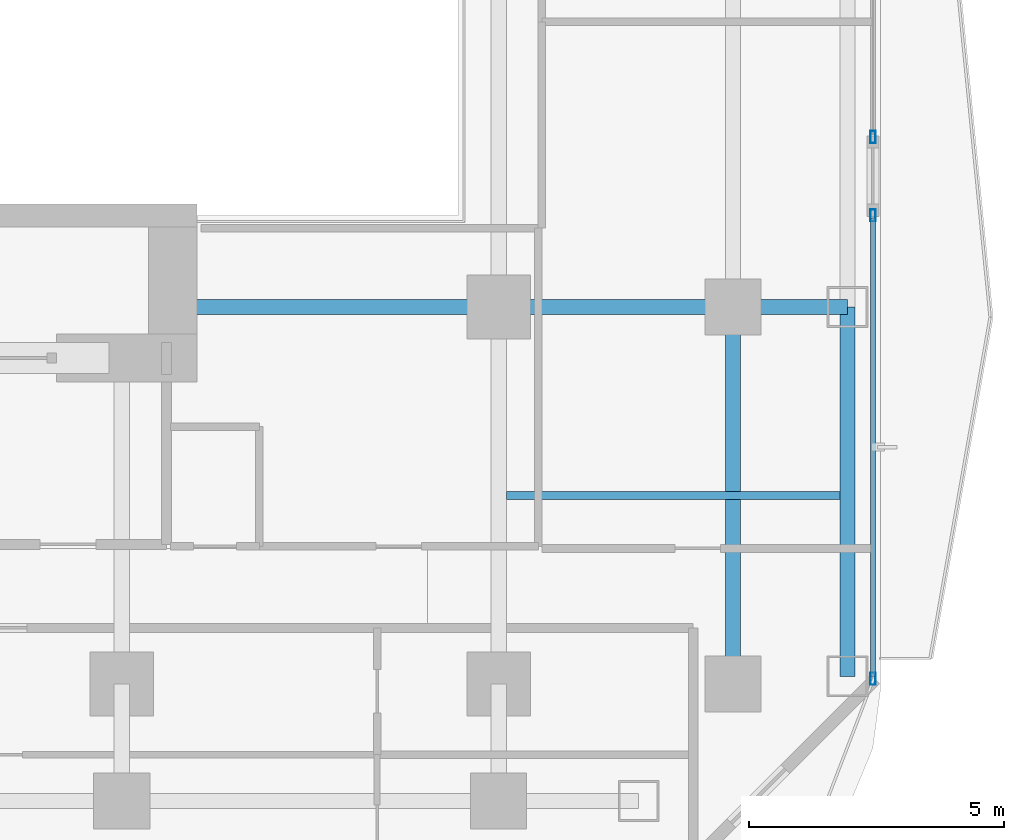
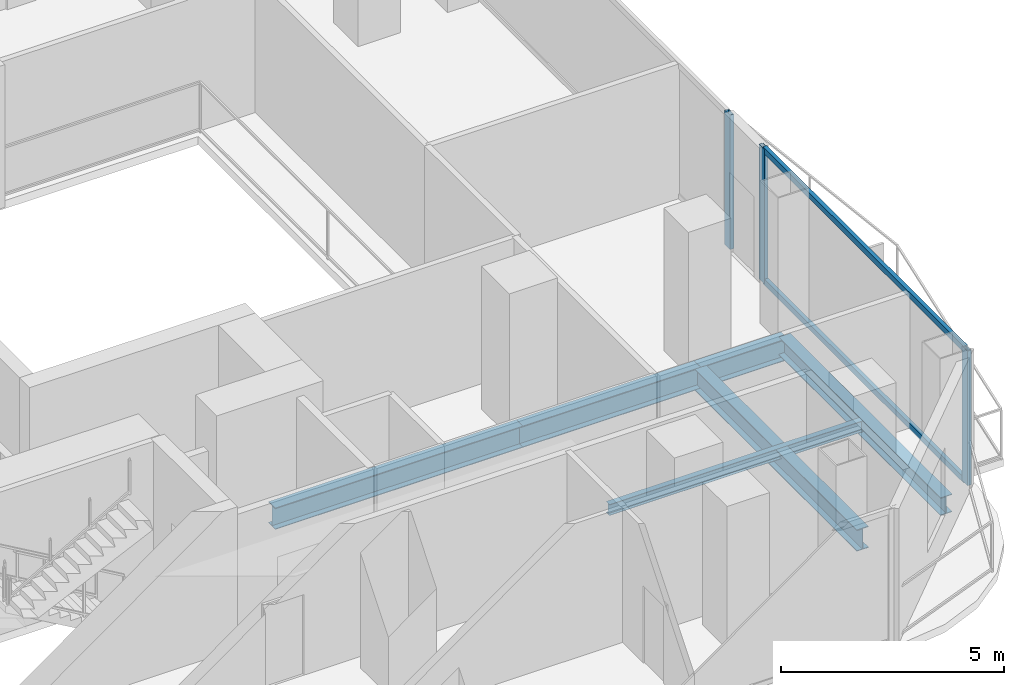
# One storey, part 9 of 28: 6 beams, 5 members, 2 elements without a shape of their own.
"""IFC4 building model written with IfcOpenShell, lengths in metres."""

from ifc_helpers import new_model, si_unit, direction, frame, origin, origin_2d, place, context, subcontext, project, spatial, hollow_rectangle, i_section, extrude, material, layer, layer_set, material_profile, profile_set, type_object, element, aggregate, save


model = new_model("IFC4")

# Units and contexts
model_context = context("Model", 3, precision=1e-05, world=origin(), true_north=direction((0.0, 1.0)))
body_context = subcontext(model_context, "Body", "Model", "MODEL_VIEW")
ifc_project = project(units=[si_unit("LENGTHUNIT", "METRE"), si_unit("AREAUNIT", "SQUARE_METRE"), si_unit("VOLUMEUNIT", "CUBIC_METRE"), si_unit("PLANEANGLEUNIT", "RADIAN"), si_unit("MASSUNIT", "GRAM", prefix="KILO")], contexts=[model_context])

# Site, building, storey
site_placement = place(None, origin())
site = spatial("IfcSite", under=ifc_project, at=site_placement, CompositionType="ELEMENT")
building_placement = place(site_placement, origin())
building = spatial("IfcBuilding", under=site, at=building_placement, Name="Khorvyn Point Tower", CompositionType="ELEMENT")
storey_placement = place(building_placement, frame((0.0, 0.0, 89.10009765625)))
storey = spatial("IfcBuildingStorey", under=building, at=storey_placement, Name="L22", CompositionType="ELEMENT", Elevation=89.10009765625)

# Curtain wall, member
ifc_material_1 = material(Name="Anodised aluminium 6063-T6 and laminated Low-E glass", Category="aluminium")
ifc_layer = layer(ifc_material_1, 0.18994140625)
ifc_layer_set = layer_set([ifc_layer], Name="Stick-Built Finned Residential Curtain Wall CW-SYS-02")
curtain_wall_type = type_object("IfcCurtainWallType", Name="Stick-Built Finned Residential Curtain Wall CW-SYS-02", PredefinedType="NOTDEFINED", material=ifc_layer_set)
curtain_wall_1_placement = place(storey_placement, origin())
curtain_wall_1 = element("IfcCurtainWall", 1, at=curtain_wall_1_placement, inside=storey, type_object=curtain_wall_type, Name="Curtain Wall", PredefinedType="NOTDEFINED")
ifc_material_2 = material(Name="Anodised aluminium 6063-T6", Category="aluminium")
ifc_material_profile_1 = material_profile(ifc_material_2, hollow_rectangle(XDim=0.10009765625, YDim=0.239990234375, WallThickness=0.0048828125, at=origin_2d()))
ifc_profile_set_1 = profile_set([ifc_material_profile_1], Name="Anodised aluminium 6063-T6 ALU-MUL-100x240")
member_type_1 = type_object("IfcMemberType", Name="Anodised Aluminium 6063-T6 Mullion ALU-MUL-100x240", PredefinedType="MULLION", material=ifc_profile_set_1)
member_1_placement = place(storey_placement, frame((22.14990234375, -4.06005859375, 0.0), z_axis=(0.0, 0.0, 1.0), x_axis=(1.0, 0.0, 0.0)))
member_1 = element("IfcMember", 2, at=member_1_placement, type_object=member_type_1, Name="Transom", PredefinedType="MULLION", context=body_context, shape_type="SweptSolid", body=[
    extrude(hollow_rectangle(XDim=0.10009765625, YDim=0.239990234375, WallThickness=0.0048828125, at=origin_2d()), origin(), (0.0, 0.0, 1.0), 3.679931640625),
])
aggregate(curtain_wall_1, [member_1])

# Curtain wall, members
curtain_wall_2_placement = place(storey_placement, origin())
curtain_wall_2 = element("IfcCurtainWall", 3, at=curtain_wall_2_placement, inside=storey, type_object=curtain_wall_type, Name="Curtain Wall", PredefinedType="NOTDEFINED")
member_2_placement = place(storey_placement, frame((22.14990234375, -5.60009765625, 0.0), z_axis=(0.0, 0.0, 1.0), x_axis=(1.0, 0.0, 0.0)))
member_2 = element("IfcMember", 4, at=member_2_placement, type_object=member_type_1, Name="Transom", PredefinedType="MULLION", context=body_context, shape_type="SweptSolid", body=[
    extrude(hollow_rectangle(XDim=0.10009765625, YDim=0.239990234375, WallThickness=0.0048828125, at=origin_2d()), origin(), (0.0, 0.0, 1.0), 3.679931640625),
])
member_3_placement = place(storey_placement, frame((22.14990234375, -14.699951171875, 0.0), z_axis=(0.0, 0.0, 1.0), x_axis=(1.0, 0.0, 0.0)))
member_3 = element("IfcMember", 5, at=member_3_placement, type_object=member_type_1, Name="Transom", PredefinedType="MULLION", context=body_context, shape_type="SweptSolid", body=[
    extrude(hollow_rectangle(XDim=0.10009765625, YDim=0.239990234375, WallThickness=0.0048828125, at=origin_2d()), origin(), (0.0, 0.0, 1.0), 3.679931640625),
])
ifc_material_profile_2 = material_profile(ifc_material_2, hollow_rectangle(XDim=0.10009765625, YDim=0.159912109375, WallThickness=0.00439453125, at=origin_2d()))
ifc_profile_set_2 = profile_set([ifc_material_profile_2], Name="Anodised aluminium 6063-T6 ALU-TRN-100x160")
member_type_2 = type_object("IfcMemberType", Name="Anodised Aluminium 6063-T6 Transom ALU-TRN-100x160", PredefinedType="USERDEFINED", material=ifc_profile_set_2)
member_4_placement = place(storey_placement, frame((22.14990234375, -5.64990234375, 0.0498046875), z_axis=(0.0, -1.0, 0.0), x_axis=(1.0, 0.0, 0.0)))
member_4 = element("IfcMember", 6, at=member_4_placement, type_object=member_type_2, Name="Transom", ObjectType="TRANSOM", PredefinedType="USERDEFINED", context=body_context, shape_type="SweptSolid", body=[
    extrude(hollow_rectangle(XDim=0.10009765625, YDim=0.159912109375, WallThickness=0.00439453125, at=origin_2d()), origin(), (0.0, 0.0, 1.0), 9.0),
])
member_5_placement = place(storey_placement, frame((22.14990234375, -5.64990234375, 3.6298828125), z_axis=(0.0, -1.0, 0.0), x_axis=(1.0, 0.0, 0.0)))
member_5 = element("IfcMember", 7, at=member_5_placement, type_object=member_type_2, Name="Transom", ObjectType="TRANSOM", PredefinedType="USERDEFINED", context=body_context, shape_type="SweptSolid", body=[
    extrude(hollow_rectangle(XDim=0.10009765625, YDim=0.159912109375, WallThickness=0.00439453125, at=origin_2d()), origin(), (0.0, 0.0, 1.0), 9.0),
])
aggregate(curtain_wall_2, [member_2, member_3, member_4, member_5])

# Beams
ifc_material_3 = material(Name="Steel S355", Category="steel")
ifc_material_profile_3 = material_profile(ifc_material_3, i_section(OverallWidth=0.300048828125, OverallDepth=0.587890625, WebThickness=0.011962890625, FlangeThickness=0.02001953125, at=origin_2d()))
ifc_profile_set_3 = profile_set([ifc_material_profile_3], Name="Steel S355 H588x300x12x20")
beam_type_1 = type_object("IfcBeamType", Name="Steel S355 Beam H588x300x12x20", PredefinedType="BEAM", material=ifc_profile_set_3)
beam_1_placement = place(storey_placement, frame((8.39990234375, -7.39990234375, -0.51416015625), z_axis=(1.0, 0.0, 0.0), x_axis=(0.0, 1.0, 0.0)))
element("IfcBeam", 8, at=beam_1_placement, inside=storey, type_object=beam_type_1, Name="Beam", PredefinedType="BEAM", context=body_context, shape_type="SweptSolid", body=[
    extrude(i_section(OverallWidth=0.300048828125, OverallDepth=0.587890625, WebThickness=0.011962890625, FlangeThickness=0.02001953125, at=origin_2d()), origin(), (0.0, 0.0, 1.0), 6.400146484375),
])
beam_2_placement = place(storey_placement, frame((14.800048828125, -7.39990234375, -0.51416015625), z_axis=(1.0, 0.0, 0.0), x_axis=(0.0, 1.0, 0.0)))
element("IfcBeam", 9, at=beam_2_placement, inside=storey, type_object=beam_type_1, Name="Beam", PredefinedType="BEAM", context=body_context, shape_type="SweptSolid", body=[
    extrude(i_section(OverallWidth=0.300048828125, OverallDepth=0.587890625, WebThickness=0.011962890625, FlangeThickness=0.02001953125, at=origin_2d()), origin(), (0.0, 0.0, 1.0), 4.599853515625),
])
beam_3_placement = place(storey_placement, frame((19.39990234375, -7.39990234375, -0.51416015625), z_axis=(1.0, 0.0, 0.0), x_axis=(0.0, 1.0, 0.0)))
element("IfcBeam", 10, at=beam_3_placement, inside=storey, type_object=beam_type_1, Name="Beam", PredefinedType="BEAM", context=body_context, shape_type="SweptSolid", body=[
    extrude(i_section(OverallWidth=0.300048828125, OverallDepth=0.587890625, WebThickness=0.011962890625, FlangeThickness=0.02001953125, at=origin_2d()), origin(), (0.0, 0.0, 1.0), 2.25),
])
beam_4_placement = place(storey_placement, frame((19.39990234375, -14.800048828125, -0.51416015625), z_axis=(0.0, 1.0, 0.0), x_axis=(-1.0, 0.0, 0.0)))
element("IfcBeam", 11, at=beam_4_placement, inside=storey, type_object=beam_type_1, Name="Beam", PredefinedType="BEAM", context=body_context, shape_type="SweptSolid", body=[
    extrude(i_section(OverallWidth=0.300048828125, OverallDepth=0.587890625, WebThickness=0.011962890625, FlangeThickness=0.02001953125, at=origin_2d()), origin(), (0.0, 0.0, 1.0), 7.400146484375),
])
ifc_material_profile_4 = material_profile(ifc_material_3, i_section(OverallWidth=0.14990234375, OverallDepth=0.300048828125, WebThickness=0.006591796875, FlangeThickness=0.009033203125, at=origin_2d()))
ifc_profile_set_4 = profile_set([ifc_material_profile_4], Name="Steel S355 H300x150x6.5x9")
beam_type_2 = type_object("IfcBeamType", Name="Steel S355 Joist H300x150x6.5x9", PredefinedType="JOIST", material=ifc_profile_set_4)
beam_5_placement = place(storey_placement, frame((14.949951171875, -11.10009765625, -0.3701171875), z_axis=(1.0, 0.0, 0.0), x_axis=(0.0, 1.0, 0.0)))
element("IfcBeam", 12, at=beam_5_placement, inside=storey, type_object=beam_type_2, Name="Beam", PredefinedType="JOIST", context=body_context, shape_type="SweptSolid", body=[
    extrude(i_section(OverallWidth=0.14990234375, OverallDepth=0.300048828125, WebThickness=0.006591796875, FlangeThickness=0.009033203125, at=origin_2d()), origin(), (0.0, 0.0, 1.0), 6.550048828125),
])
ifc_material_profile_5 = material_profile(ifc_material_3, i_section(OverallWidth=0.300048828125, OverallDepth=0.488037109375, WebThickness=0.010986328125, FlangeThickness=0.01806640625, at=origin_2d()))
ifc_profile_set_5 = profile_set([ifc_material_profile_5], Name="Steel S355 H488x300x11x18")
beam_type_3 = type_object("IfcBeamType", Name="Steel S355 Spandrel H488x300x11x18", PredefinedType="SPANDREL", material=ifc_profile_set_5)
beam_6_placement = place(storey_placement, frame((21.64990234375, -14.64990234375, -0.464111328125), z_axis=(0.0, 1.0, 0.0), x_axis=(-1.0, 0.0, 0.0)))
element("IfcBeam", 13, at=beam_6_placement, inside=storey, type_object=beam_type_3, Name="Beam", PredefinedType="SPANDREL", context=body_context, shape_type="SweptSolid", body=[
    extrude(i_section(OverallWidth=0.300048828125, OverallDepth=0.488037109375, WebThickness=0.010986328125, FlangeThickness=0.01806640625, at=origin_2d()), origin(), (0.0, 0.0, 1.0), 7.25),
])

save(model, "model.ifc")
